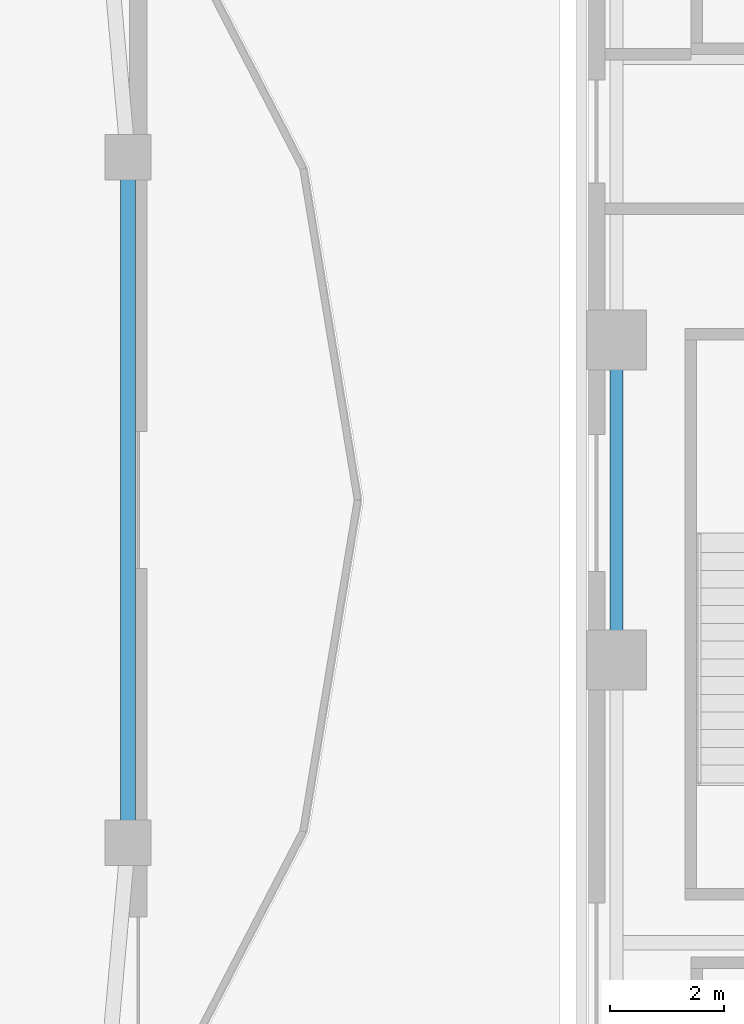
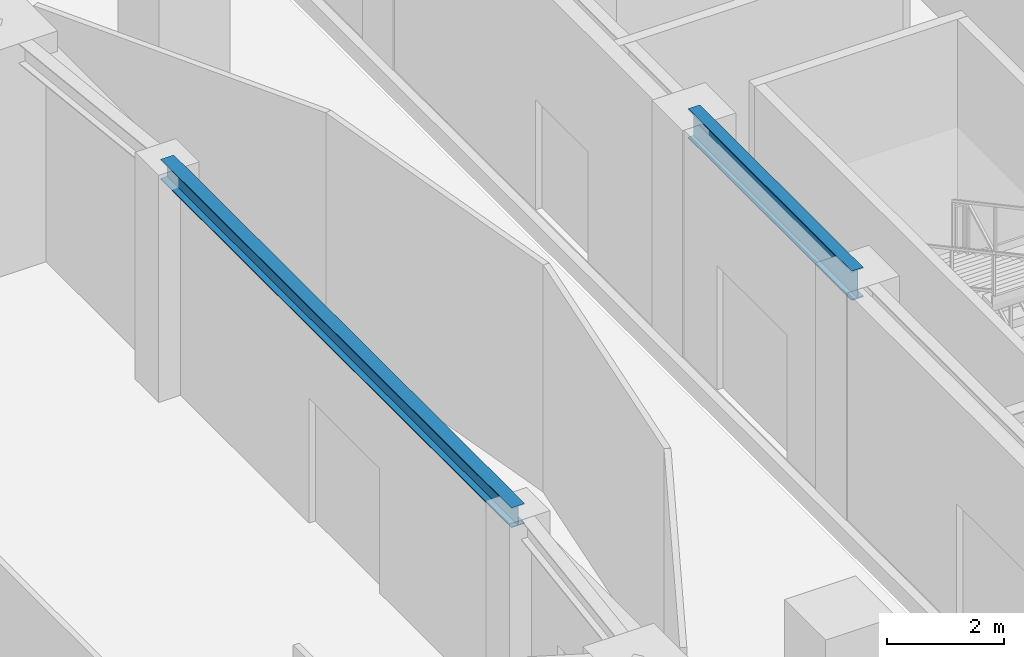
# One storey, part 5 of 23: 2 beams.
"""IFC4 building model written with IfcOpenShell, lengths in metres."""

import ifcopenshell
import ifcopenshell.guid

model = None  # the IFC model being written
_history = None  # IfcOwnerHistory: only IFC2X3 demands one
_inside = {}  # id of a spatial element -> (the spatial element, [elements in it])
_under = {}  # id of a project, library or spatial element -> (it, [spatial elements below it])
_declared = {}  # id of a project -> (the project, [libraries it declares])
_typed = {}  # id of a type object -> (the type object, [elements of that type])
_made_of = {}  # id of a material, layer set ... -> (it, [elements and type objects made of it])


def new_model(schema):
    """Start an empty IFC model of exactly this schema.

    Asked for "IFC4X3", IfcOpenShell would pick the latest addendum, in which some entities
    have other attributes; the version numbers below select the first issue.
    IFC2X3 requires an IfcOwnerHistory on every rooted entity: one is made here for all.
    """
    global model, _history
    if schema == "IFC4X3":
        model = ifcopenshell.file(schema_version=(4, 3, 0, 0))
    else:
        model = ifcopenshell.file(schema=schema)
    _inside.clear()
    _under.clear()
    _declared.clear()
    _typed.clear()
    _made_of.clear()
    _history = None
    if model.schema == "IFC2X3":
        org = make("IfcOrganization", Name="unknown")
        user = make(
            "IfcPersonAndOrganization",
            ThePerson=make("IfcPerson", FamilyName="unknown"),
            TheOrganization=org,
        )
        app = make(
            "IfcApplication",
            ApplicationDeveloper=org,
            Version="unknown",
            ApplicationFullName="unknown",
            ApplicationIdentifier="unknown",
        )
        _history = make(
            "IfcOwnerHistory",
            OwningUser=user,
            OwningApplication=app,
            ChangeAction="ADDED",
            CreationDate=0,
        )
    return model


def make(cls, **values):
    """One entity of the class cls with the attributes given. An attribute that is None is left unset."""
    return model.create_entity(
        cls, **{name: value for name, value in values.items() if value is not None}
    )


def rooted(cls, **values):
    """An entity with a GlobalId (a new one), such as an element, a storey or a relation."""
    return make(cls, GlobalId=ifcopenshell.guid.new(), OwnerHistory=_history, **values)


def si_unit(unit_type, name, prefix=None):
    """IfcSIUnit, for example si_unit("LENGTHUNIT", "METRE", prefix="MILLI")."""
    return make("IfcSIUnit", UnitType=unit_type, Prefix=prefix, Name=name)


def assignment(units):
    """IfcUnitAssignment: the units of a project."""
    return None if units is None else make("IfcUnitAssignment", Units=units)


def point(xyz):
    """IfcCartesianPoint."""
    return None if xyz is None else make("IfcCartesianPoint", Coordinates=xyz)


def direction(xyz):
    """IfcDirection."""
    return None if xyz is None else make("IfcDirection", DirectionRatios=xyz)


def frame(location, z_axis=None, x_axis=None):
    """IfcAxis2Placement3D, a coordinate frame: its origin and axes. An axis left out is left unset."""
    return make(
        "IfcAxis2Placement3D",
        Location=point(location),
        Axis=direction(z_axis),
        RefDirection=direction(x_axis),
    )


def frame_2d(location, x_axis=None):
    """IfcAxis2Placement2D, a coordinate frame in the plane: its origin and x axis."""
    return make(
        "IfcAxis2Placement2D", Location=point(location), RefDirection=direction(x_axis)
    )


def origin():
    """The frame at (0, 0, 0) with its axes left unset."""
    return frame((0.0, 0.0, 0.0))


def origin_2d():
    """The frame at (0, 0) in the plane with its x axis left unset."""
    return frame_2d((0.0, 0.0))


def place(relative_to, where):
    """IfcLocalPlacement: puts the frame where relative to a parent placement (None: the world)."""
    return make(
        "IfcLocalPlacement", PlacementRelTo=relative_to, RelativePlacement=where
    )


def context(
    kind, dimensions, precision=None, world=None, true_north=None, identifier=None
):
    """IfcGeometricRepresentationContext, for example the 3D "Model" context."""
    return make(
        "IfcGeometricRepresentationContext",
        ContextIdentifier=identifier,
        ContextType=kind,
        CoordinateSpaceDimension=dimensions,
        Precision=precision,
        WorldCoordinateSystem=world,
        TrueNorth=true_north,
    )


def subcontext(parent, identifier, kind, view, scale=None):
    """IfcGeometricRepresentationSubContext, for example "Body" below "Model"."""
    return make(
        "IfcGeometricRepresentationSubContext",
        ContextIdentifier=identifier,
        ContextType=kind,
        ParentContext=parent,
        TargetScale=scale,
        TargetView=view,
    )


def project(units=None, contexts=None):
    """IfcProject with its units and contexts."""
    return rooted(
        "IfcProject",
        Name="project",
        RepresentationContexts=contexts,
        UnitsInContext=assignment(units),
    )


def spatial(cls, under=None, at=None, **own):
    """A site, building, storey or space (cls), placed at a placement, below another one or the project."""
    s = rooted(cls, ObjectPlacement=at, **own)
    if under is not None:
        _under.setdefault(under.id(), (under, []))[1].append(s)
    return s


def profile(cls, at=None, kind="AREA", **sizes):
    """A parametric profile (cls). Its sizes go by their IFC names, for example OverallWidth=200.0."""
    return make(cls, ProfileType=kind, Position=at, **sizes)


def i_section(**sizes):
    """IfcIShapeProfileDef."""
    return profile("IfcIShapeProfileDef", **sizes)


def extrude(swept, where, along, depth):
    """IfcExtrudedAreaSolid: the profile swept, set in the frame where, extruded along a direction by depth."""
    return make(
        "IfcExtrudedAreaSolid",
        SweptArea=swept,
        Position=where,
        ExtrudedDirection=direction(along),
        Depth=depth,
    )


def shape(context_of_items, identifier, shape_type, items):
    """IfcShapeRepresentation: the items that make up one representation, for example the "Body"."""
    return make(
        "IfcShapeRepresentation",
        ContextOfItems=context_of_items,
        RepresentationIdentifier=identifier,
        RepresentationType=shape_type,
        Items=items,
    )


def material(Name=None, Category=None):
    """IfcMaterial."""
    return make("IfcMaterial", Name=Name, Category=Category)


def material_profile(
    of_material, cross_section, Name=None, Category=None, Priority=None
):
    """IfcMaterialProfile: a cross section and its material."""
    return make(
        "IfcMaterialProfile",
        Name=Name,
        Material=of_material,
        Profile=cross_section,
        Priority=Priority,
        Category=Category,
    )


def profile_set(profiles, Name=None, composite=None):
    """IfcMaterialProfileSet."""
    return make(
        "IfcMaterialProfileSet",
        Name=Name,
        MaterialProfiles=profiles,
        CompositeProfile=composite,
    )


def made_of(thing, what):
    """Note that an element or type object is made of a material, layer set ...; save() writes the relation."""
    if what is not None:
        _made_of.setdefault(what.id(), (what, []))[1].append(thing)
    return thing


def type_object(cls, material=None, **own):
    """A type object (cls), such as IfcWallType, which elements share."""
    return made_of(rooted(cls, **own), material)


def element(
    cls,
    number,
    at=None,
    inside=None,
    cuts=None,
    type_object=None,
    material=None,
    context=None,
    identifier="Body",
    shape_type=None,
    held_by="IfcProductDefinitionShape",
    body=None,
    shapes=None,
    **own,
):
    """One element of the class cls, such as IfcWall. Its Tag is "e" and its number.

    at: its placement. inside: the storey or other place that contains it. cuts: it is an
    opening in that element (IfcRelVoidsElement). A single representation is given by context,
    identifier, shape_type and body (its items); several are given by shapes. held_by: the class
    of the entity that holds the representations. save() writes the other relations.
    """
    e = rooted(cls, Tag="e%d" % number, ObjectPlacement=at, **own)
    if body is not None:
        shapes = [shape(context, identifier, shape_type, body)]
    if shapes is not None:
        e.Representation = make(held_by, Representations=shapes)
    if inside is not None:
        _inside.setdefault(inside.id(), (inside, []))[1].append(e)
    if cuts is not None:
        rooted(
            "IfcRelVoidsElement", RelatingBuildingElement=cuts, RelatedOpeningElement=e
        )
    if type_object is not None:
        _typed.setdefault(type_object.id(), (type_object, []))[1].append(e)
    return made_of(e, material)


def aggregate(whole, parts):
    """IfcRelAggregates: a whole, such as a stair, and the parts it consists of."""
    return rooted("IfcRelAggregates", RelatingObject=whole, RelatedObjects=parts)


def save(model, path):
    """Write the relations noted so far, then the file.

    IfcRelAggregates (storeys below a building ...), IfcRelContainedInSpatialStructure (elements
    in a storey), IfcRelDefinesByType, IfcRelAssociatesMaterial and IfcRelDeclares: one each for
    every whole, place, type object, material and project.
    """
    for whole, parts in _under.values():
        aggregate(whole, parts)
    for where, things in _inside.values():
        rooted(
            "IfcRelContainedInSpatialStructure",
            RelatedElements=things,
            RelatingStructure=where,
        )
    for kind, things in _typed.values():
        rooted("IfcRelDefinesByType", RelatedObjects=things, RelatingType=kind)
    for what, things in _made_of.values():
        rooted("IfcRelAssociatesMaterial", RelatedObjects=things, RelatingMaterial=what)
    for by, libraries in _declared.values():
        rooted("IfcRelDeclares", RelatingContext=by, RelatedDefinitions=libraries)
    model.write(path)


model = new_model("IFC4")

# Units and contexts
model_context = context("Model", 3, precision=1e-05, world=origin(), true_north=direction((0.0, 1.0)))
body_context = subcontext(model_context, "Body", "Model", "MODEL_VIEW")
ifc_project = project(units=[si_unit("LENGTHUNIT", "METRE"), si_unit("AREAUNIT", "SQUARE_METRE"), si_unit("VOLUMEUNIT", "CUBIC_METRE"), si_unit("PLANEANGLEUNIT", "RADIAN"), si_unit("MASSUNIT", "GRAM", prefix="KILO")], contexts=[model_context])

# Site, building, storey
site_placement = place(None, origin())
site = spatial("IfcSite", under=ifc_project, at=site_placement, CompositionType="ELEMENT")
building_placement = place(site_placement, origin())
building = spatial("IfcBuilding", under=site, at=building_placement, Name="Kolvaren Gate Tower and Convention Centre", CompositionType="ELEMENT")
storey_placement = place(building_placement, origin())
storey = spatial("IfcBuildingStorey", under=building, at=storey_placement, Name="L00", CompositionType="ELEMENT", Elevation=0.0)

# Beams
ifc_material = material(Name="Structural steel ASTM A992 Grade 345 MPa", Category="steel")
ifc_material_profile_1 = material_profile(ifc_material, i_section(OverallWidth=0.260986328125, OverallDepth=0.419921875, WebThickness=0.01171875, FlangeThickness=0.019287109375, at=origin_2d()), Name="W410X114")
ifc_profile_set_1 = profile_set([ifc_material_profile_1], Name="Structural steel ASTM A992 Grade 345 MPa")
beam_type_1 = type_object("IfcBeamType", Name="STR-BM-W410X114", PredefinedType="BEAM", material=ifc_profile_set_1)
beam_1_placement = place(storey_placement, frame((54.14990234375, 21.0, 4.530029296875), z_axis=(0.0, 1.0, 0.0), x_axis=(-1.0, 0.0, 0.0)))
element("IfcBeam", 1, at=beam_1_placement, inside=storey, type_object=beam_type_1, Name="Tower L00 Recessed Arch Edge Spandrel AE-2", PredefinedType="BEAM", context=body_context, shape_type="SweptSolid", body=[
    extrude(i_section(OverallWidth=0.260986328125, OverallDepth=0.419921875, WebThickness=0.01171875, FlangeThickness=0.019287109375, at=origin_2d()), origin(), (0.0, 0.0, 1.0), 12.0),
])
ifc_material_profile_2 = material_profile(ifc_material, i_section(OverallWidth=0.22998046875, OverallDepth=0.616943359375, WebThickness=0.01318359375, FlangeThickness=0.022216796875, at=origin_2d()), Name="W610X140")
ifc_profile_set_2 = profile_set([ifc_material_profile_2], Name="Structural steel ASTM A992 Grade 345 MPa")
beam_type_2 = type_object("IfcBeamType", Name="STR-BM-W610X140", PredefinedType="BEAM", material=ifc_profile_set_2)
beam_2_placement = place(storey_placement, frame((62.699951171875, 24.199951171875, 4.431396484375), z_axis=(0.0, 1.0, 0.0), x_axis=(-1.0, 0.0, 0.0)))
element("IfcBeam", 2, at=beam_2_placement, inside=storey, type_object=beam_type_2, Name="Convention L00 Longitudinal Girder CG-14", PredefinedType="BEAM", context=body_context, shape_type="SweptSolid", body=[
    extrude(i_section(OverallWidth=0.22998046875, OverallDepth=0.616943359375, WebThickness=0.01318359375, FlangeThickness=0.022216796875, at=origin_2d()), origin(), (0.0, 0.0, 1.0), 5.60009765625),
])

save(model, "model.ifc")
